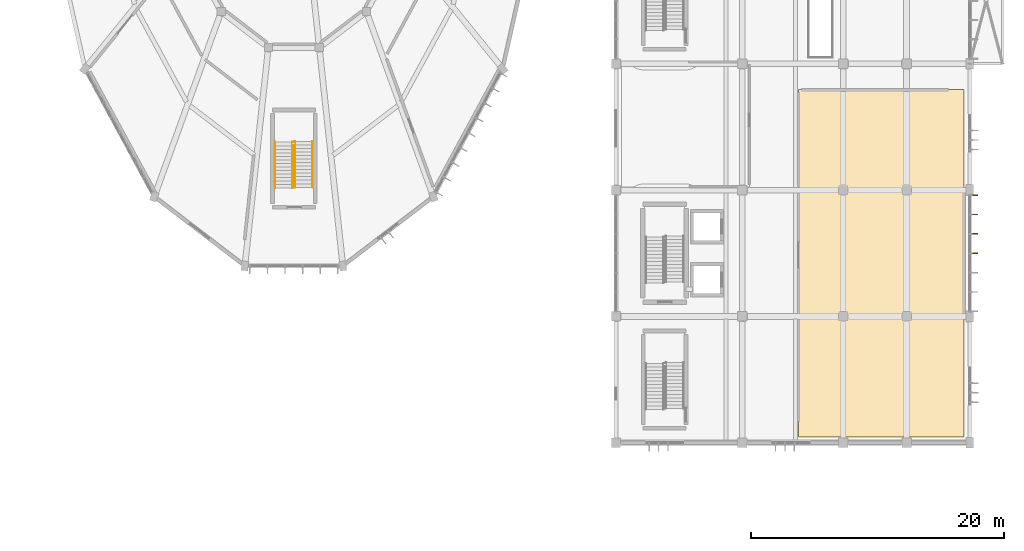
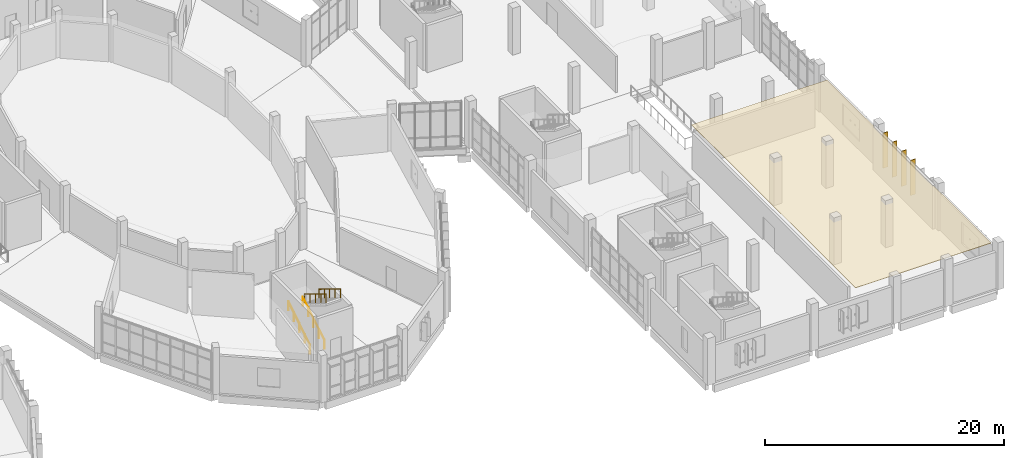
# One storey, part 166 of 179: 4 railings, 4 shading devices, 1 covering.
"""IFC4 building model written with IfcOpenShell, lengths in metres."""

from ifc_helpers import new_model, si_unit, direction, frame, origin, origin_2d, place, context, subcontext, project, spatial, polyline, rectangle, circle, outline, extrude, material, layer, layer_set, type_object, element, save


model = new_model("IFC4")

# Units and contexts
model_context = context("Model", 3, precision=1e-05, world=origin(), true_north=direction((0.0, 1.0)))
body_context = subcontext(model_context, "Body", "Model", "MODEL_VIEW")
ifc_project = project(units=[si_unit("LENGTHUNIT", "METRE"), si_unit("AREAUNIT", "SQUARE_METRE"), si_unit("VOLUMEUNIT", "CUBIC_METRE"), si_unit("PLANEANGLEUNIT", "RADIAN"), si_unit("MASSUNIT", "GRAM", prefix="KILO")], contexts=[model_context])

# Site, building, storey
site_placement = place(None, origin())
site = spatial("IfcSite", under=ifc_project, at=site_placement, CompositionType="ELEMENT")
building_placement = place(site_placement, origin())
building = spatial("IfcBuilding", under=site, at=building_placement, Name="Corvandel Quay Wholesale Market", CompositionType="ELEMENT")
storey_placement = place(building_placement, frame((0.0, 0.0, 6.0)))
storey = spatial("IfcBuildingStorey", under=building, at=storey_placement, Name="L01", CompositionType="ELEMENT", Elevation=6.0)

# Railings
ifc_material_1 = material(Name="Brushed austenitic stainless steel Grade 316", Category="steel")
ifc_layer_1 = layer(ifc_material_1, 0.048095703125)
ifc_layer_set_1 = layer_set([ifc_layer_1], Name="Brushed austenitic stainless steel Grade 316")
railing_type = type_object("IfcRailingType", Name="Tubular Stainless Stair Handrail HR01 915mm", PredefinedType="HANDRAIL", material=ifc_layer_set_1)
for number, where, name in (
    (1, (193.010009765625, 30.14990234375, 0.17138671875), "Stair Handrail 0085"),
    (2, (194.39990234375, 30.14990234375, 0.17138671875), "Stair Handrail 0086"),
):
    element("IfcRailing", number, at=place(storey_placement, frame(where)), inside=storey, type_object=railing_type, Name=name, PredefinedType="HANDRAIL", context=body_context, shape_type="SweptSolid", body=[
        extrude(circle(Radius=0.02392578125, at=origin_2d()), frame((0.0, 0.0, 0.89111328125), z_axis=(0.0, 0.852865859571, 0.52213008492), x_axis=(-1.0, 0.0, 0.0)), (0.0, 0.0, 1.0), 4.26806640625),
        extrude(circle(Radius=0.02099609375, at=origin_2d()), origin(), (0.0, 0.0, 1.0), 0.866943359375),
        extrude(circle(Radius=0.02099609375, at=origin_2d()), frame((0.0, 0.91015625, 0.55712890625)), (0.0, 0.0, 1.0), 0.866943359375),
        extrude(circle(Radius=0.02099609375, at=origin_2d()), frame((0.0, 1.820068359375, 1.1142578125)), (0.0, 0.0, 1.0), 0.866943359375),
        extrude(circle(Radius=0.02099609375, at=origin_2d()), frame((0.0, 2.72998046875, 1.67138671875)), (0.0, 0.0, 1.0), 0.866943359375),
        extrude(circle(Radius=0.02099609375, at=origin_2d()), frame((0.0, 3.64013671875, 2.228515625)), (0.0, 0.0, 1.0), 0.866943359375),
    ])
for number, where, name in (
    (3, (194.60009765625, 33.860107421875, 2.5712890625), "Stair Handrail 0087"),
    (4, (195.989990234375, 33.860107421875, 2.5712890625), "Stair Handrail 0088"),
):
    element("IfcRailing", number, at=place(storey_placement, frame(where)), inside=storey, type_object=railing_type, Name=name, PredefinedType="HANDRAIL", context=body_context, shape_type="SweptSolid", body=[
        extrude(circle(Radius=0.02392578125, at=origin_2d()), frame((0.0, 0.0, 0.89111328125), z_axis=(0.0, -0.852840387347, 0.522171689878), x_axis=(1.0, 0.0, 0.0)), (0.0, 0.0, 1.0), 4.268310546875),
        extrude(circle(Radius=0.02099609375, at=origin_2d()), origin(), (0.0, 0.0, 1.0), 0.866943359375),
        extrude(circle(Radius=0.02099609375, at=origin_2d()), frame((0.0, -0.91015625, 0.55712890625)), (0.0, 0.0, 1.0), 0.866943359375),
        extrude(circle(Radius=0.02099609375, at=origin_2d()), frame((0.0, -1.820068359375, 1.1142578125)), (0.0, 0.0, 1.0), 0.866943359375),
        extrude(circle(Radius=0.02099609375, at=origin_2d()), frame((0.0, -2.72998046875, 1.671630859375)), (0.0, 0.0, 1.0), 0.866943359375),
        extrude(circle(Radius=0.02099609375, at=origin_2d()), frame((0.0, -3.64013671875, 2.228759765625)), (0.0, 0.0, 1.0), 0.866943359375),
    ])

# Shading devices
ifc_material_2 = material(Name="Bronze anodised extruded aluminium 6063-T6", Category="aluminium")
shading_device_type = type_object("IfcShadingDeviceType", Name="Vertical Anodised Bronze Solar Fin FN01 480mm", PredefinedType="JALOUSIE", material=ifc_material_2)
for number, where, z_axis, x_axis, name in (
    (5, (248.3798828125, 25.0, 0.175048828125), (0.0, 0.0, 1.0), (1.0, 0.0, 0.0), "Solar Fin 0642"),
    (6, (248.3798828125, 26.533203125, 0.175048828125), (0.0, 0.0, 1.0), (1.0, 0.0, 0.0), "Solar Fin 0643"),
    (7, (248.3798828125, 28.066650390625, 0.175048828125), (0.0, 0.0, 1.0), (1.0, 0.0, 0.0), "Solar Fin 0644"),
    (8, (248.3798828125, 29.60009765625, 0.175048828125), (0.0, 0.0, 1.0), (1.0, 0.0, 0.0), "Solar Fin 0645"),
):
    element("IfcShadingDevice", number, at=place(storey_placement, frame(where, z_axis=z_axis, x_axis=x_axis)), inside=storey, type_object=shading_device_type, Name=name, PredefinedType="JALOUSIE", context=body_context, shape_type="SweptSolid", body=[
        extrude(rectangle(XDim=0.47998046875, YDim=0.06494140625, at=origin_2d()), origin(), (0.0, 0.0, 1.0), 3.60009765625),
    ])

# Covering
ifc_material_3 = material(Name="Moisture-resistant washable PVC-faced gypsum board")
ifc_layer_2 = layer(ifc_material_3, 0.0400390625)
ifc_layer_set_2 = layer_set([ifc_layer_2], Name="Moisture-resistant washable PVC-faced gypsum board")
covering_type = type_object("IfcCoveringType", Name="Washable Hygienic Market Ceiling CLG02", PredefinedType="CEILING", material=ifc_layer_set_2)
covering_placement = place(storey_placement, frame((0.0, 0.0, 4.31005859375)))
element("IfcCovering", 9, at=covering_placement, inside=storey, type_object=covering_type, Name="Suspended Ceiling CLG-027", PredefinedType="CEILING", context=body_context, shape_type="SweptSolid", body=[
    extrude(outline(polyline([(234.4580078125, 10.43994140625), (234.4560546875, 10.43994140625), (234.4541015625, 10.44091796875), (234.451904296875, 10.44189453125), (234.450927734375, 10.44189453125), (234.448974609375, 10.443115234375), (234.447021484375, 10.445068359375), (234.446044921875, 10.446044921875), (234.445068359375, 10.447021484375), (234.443115234375, 10.448974609375), (234.44189453125, 10.450927734375), (234.44189453125, 10.451904296875), (234.44091796875, 10.4541015625), (234.43994140625, 10.4560546875), (234.43994140625, 10.4580078125), (234.43994140625, 10.4599609375), (234.43994140625, 37.93994140625), (234.43994140625, 37.94189453125), (234.43994140625, 37.944091796875), (234.44091796875, 37.946044921875), (234.44189453125, 37.947998046875), (234.44189453125, 37.948974609375), (234.443115234375, 37.950927734375), (234.445068359375, 37.952880859375), (234.446044921875, 37.9541015625), (234.447021484375, 37.955078125), (234.448974609375, 37.95703125), (234.450927734375, 37.9580078125), (234.451904296875, 37.9580078125), (234.4541015625, 37.958984375), (234.4560546875, 37.9599609375), (234.4580078125, 37.9599609375), (234.4599609375, 37.9599609375), (247.5400390625, 37.9599609375), (247.5419921875, 37.9599609375), (247.5439453125, 37.9599609375), (247.5458984375, 37.958984375), (247.548095703125, 37.9580078125), (247.549072265625, 37.9580078125), (247.551025390625, 37.95703125), (247.552978515625, 37.955078125), (247.553955078125, 37.9541015625), (247.554931640625, 37.952880859375), (247.556884765625, 37.950927734375), (247.55810546875, 37.948974609375), (247.55810546875, 37.947998046875), (247.55908203125, 37.946044921875), (247.56005859375, 37.944091796875), (247.56005859375, 37.94189453125), (247.56005859375, 37.93994140625), (247.56005859375, 10.4599609375), (247.56005859375, 10.4580078125), (247.56005859375, 10.4560546875), (247.55908203125, 10.4541015625), (247.55810546875, 10.451904296875), (247.55810546875, 10.450927734375), (247.556884765625, 10.448974609375), (247.554931640625, 10.447021484375), (247.553955078125, 10.446044921875), (247.552978515625, 10.445068359375), (247.551025390625, 10.443115234375), (247.549072265625, 10.44189453125), (247.548095703125, 10.44189453125), (247.5458984375, 10.44091796875), (247.5439453125, 10.43994140625), (247.5419921875, 10.43994140625), (247.5400390625, 10.43994140625), (234.4599609375, 10.43994140625), (234.4580078125, 10.43994140625)])), origin(), (0.0, 0.0, 1.0), 0.044921875),
])

save(model, "model.ifc")
